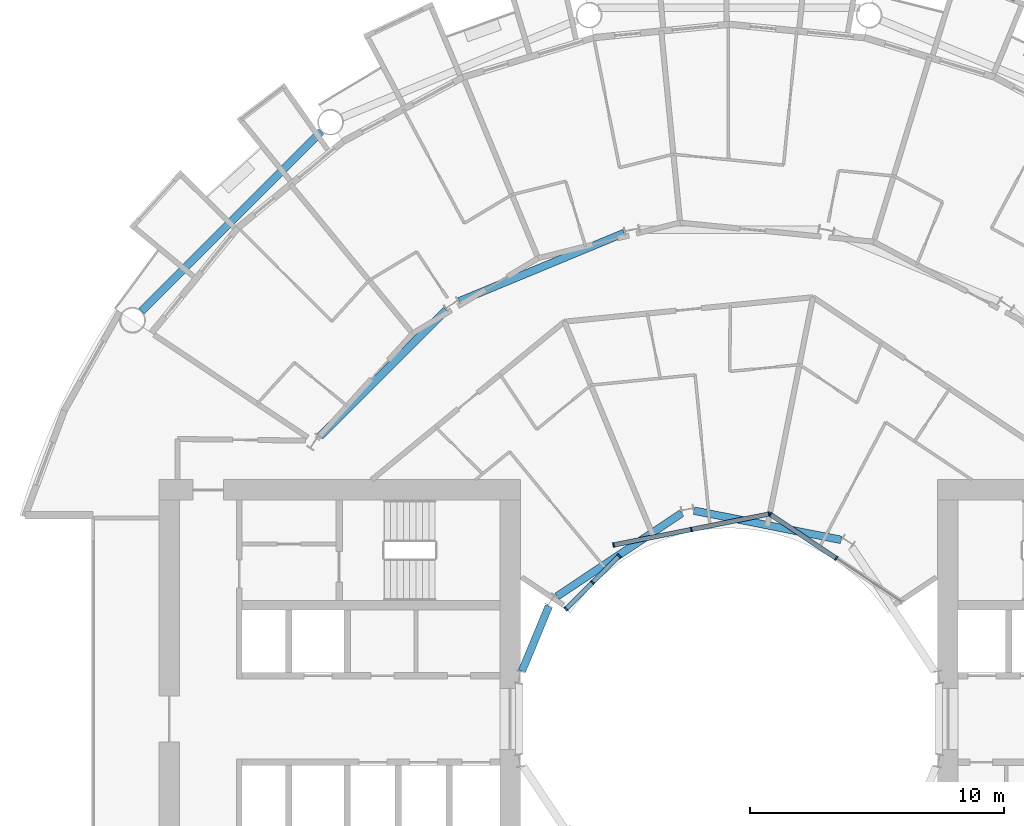
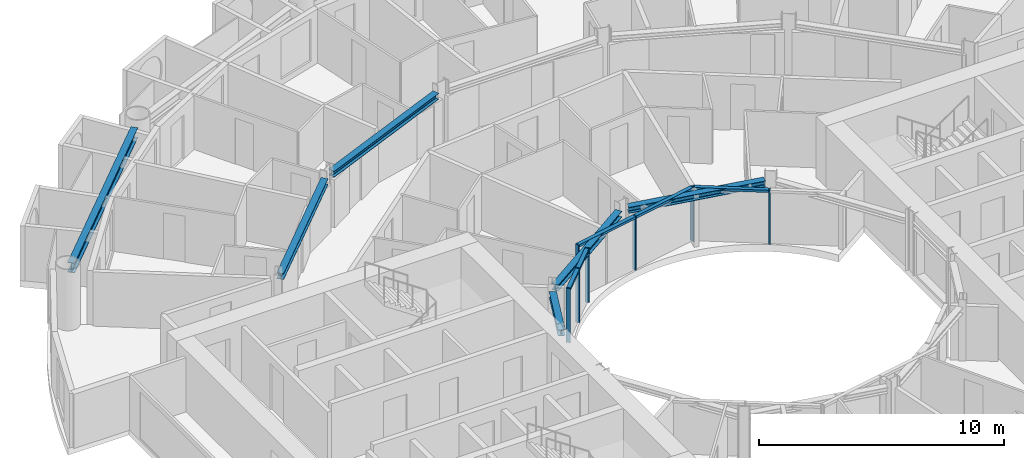
# One storey, part 7 of 26: 13 members, 6 beams, 3 elements without a shape of their own.
"""IFC4 building model written with IfcOpenShell, lengths in metres."""

from ifc_helpers import new_model, si_unit, direction, frame, origin, origin_2d, place, context, subcontext, project, spatial, rectangle, i_section, extrude, material, layer, layer_set, material_profile, profile_set, type_object, element, aggregate, save


model = new_model("IFC4")

# Units and contexts
model_context = context("Model", 3, precision=1e-05, world=origin(), true_north=direction((0.0, 1.0)))
body_context = subcontext(model_context, "Body", "Model", "MODEL_VIEW")
ifc_project = project(units=[si_unit("LENGTHUNIT", "METRE"), si_unit("AREAUNIT", "SQUARE_METRE"), si_unit("VOLUMEUNIT", "CUBIC_METRE"), si_unit("PLANEANGLEUNIT", "RADIAN"), si_unit("MASSUNIT", "GRAM", prefix="KILO")], contexts=[model_context])

# Site, building, storey
site_placement = place(None, origin())
site = spatial("IfcSite", under=ifc_project, at=site_placement, CompositionType="ELEMENT")
building_placement = place(site_placement, origin())
building = spatial("IfcBuilding", under=site, at=building_placement, Name="Maasbend Ring Residences", CompositionType="ELEMENT")
storey_placement = place(building_placement, frame((0.0, 0.0, 25.85009765625)))
storey = spatial("IfcBuildingStorey", under=building, at=storey_placement, Name="L06", CompositionType="ELEMENT", Elevation=25.85009765625)

# Curtain wall, members
ifc_material_1 = material(Name="Aluminium and clear glass", Category="aluminium")
ifc_layer = layer(ifc_material_1, 0.179931640625)
ifc_layer_set = layer_set([ifc_layer], Name="CW-W")
curtain_wall_type = type_object("IfcCurtainWallType", Name="CW-W", PredefinedType="NOTDEFINED", material=ifc_layer_set)
curtain_wall_1_placement = place(storey_placement, origin())
curtain_wall_1 = element("IfcCurtainWall", 1, at=curtain_wall_1_placement, inside=storey, type_object=curtain_wall_type, Name="Well curtain wall N1", PredefinedType="NOTDEFINED")
ifc_material_2 = material(Name="Aluminium 6063-T6", Category="aluminium")
ifc_material_profile_1 = material_profile(ifc_material_2, rectangle(XDim=0.179931640625, YDim=0.06005859375, at=origin_2d()), Name="AL 180x60")
ifc_profile_set_1 = profile_set([ifc_material_profile_1], Name="Aluminium 6063-T6")
member_type_1 = type_object("IfcMemberType", Name="CWM-W", PredefinedType="MULLION", material=ifc_profile_set_1)
member_1_placement = place(storey_placement, frame((4.216796875, 6.310791015625, 0.0), z_axis=(0.0, 0.0, 1.0), x_axis=(-0.55557023302, -0.831469612303, 0.0)))
member_1 = element("IfcMember", 2, at=member_1_placement, type_object=member_type_1, Name="Mullion well face", PredefinedType="MULLION", context=body_context, shape_type="SweptSolid", body=[
    extrude(rectangle(XDim=0.179931640625, YDim=0.06005859375, at=origin_2d()), origin(), (0.0, 0.0, 1.0), 2.699951171875),
])
member_2_placement = place(storey_placement, frame((1.627685546875, 8.040771484375, 0.0), z_axis=(0.0, 0.0, 1.0), x_axis=(-0.55557023302, -0.831469612303, 0.0)))
member_2 = element("IfcMember", 3, at=member_2_placement, type_object=member_type_1, Name="Mullion well face", PredefinedType="MULLION", context=body_context, shape_type="SweptSolid", body=[
    extrude(rectangle(XDim=0.179931640625, YDim=0.06005859375, at=origin_2d()), origin(), (0.0, 0.0, 1.0), 2.699951171875),
])

curtain_wall_2_placement = place(storey_placement, origin())
curtain_wall_2 = element("IfcCurtainWall", 4, at=curtain_wall_2_placement, inside=storey, type_object=curtain_wall_type, Name="Well curtain wall N2", PredefinedType="NOTDEFINED")
member_3_placement = place(storey_placement, frame((1.5732421875, 8.0517578125, 0.0), z_axis=(0.0, 0.0, 1.0), x_axis=(0.195090322016, -0.980785280403, 0.0)))
member_3 = element("IfcMember", 5, at=member_3_placement, type_object=member_type_1, Name="Mullion well face", PredefinedType="MULLION", context=body_context, shape_type="SweptSolid", body=[
    extrude(rectangle(XDim=0.179931640625, YDim=0.06005859375, at=origin_2d()), origin(), (0.0, 0.0, 1.0), 2.699951171875),
])
member_4_placement = place(storey_placement, frame((-1.480712890625, 7.444091796875, 0.0), z_axis=(0.0, 0.0, 1.0), x_axis=(0.195090322016, -0.980785280403, 0.0)))
member_4 = element("IfcMember", 6, at=member_4_placement, type_object=member_type_1, Name="Mullion well face", PredefinedType="MULLION", context=body_context, shape_type="SweptSolid", body=[
    extrude(rectangle(XDim=0.179931640625, YDim=0.06005859375, at=origin_2d()), origin(), (0.0, 0.0, 1.0), 2.699951171875),
])
member_5_placement = place(storey_placement, frame((-4.53466796875, 6.836669921875, 0.0), z_axis=(0.0, 0.0, 1.0), x_axis=(0.195090322016, -0.980785280403, 0.0)))
member_5 = element("IfcMember", 7, at=member_5_placement, type_object=member_type_1, Name="Mullion well face", PredefinedType="MULLION", context=body_context, shape_type="SweptSolid", body=[
    extrude(rectangle(XDim=0.179931640625, YDim=0.06005859375, at=origin_2d()), origin(), (0.0, 0.0, 1.0), 2.699951171875),
])

curtain_wall_3_placement = place(storey_placement, origin())
curtain_wall_3 = element("IfcCurtainWall", 8, at=curtain_wall_3_placement, inside=storey, type_object=curtain_wall_type, Name="Well curtain wall N3", PredefinedType="NOTDEFINED")
member_6_placement = place(storey_placement, frame((-4.320556640625, 6.413330078125, 0.0), z_axis=(0.0, 0.0, 1.0), x_axis=(0.707106781187, -0.707106781187, 0.0)))
member_6 = element("IfcMember", 9, at=member_6_placement, type_object=member_type_1, Name="Mullion well face", PredefinedType="MULLION", context=body_context, shape_type="SweptSolid", body=[
    extrude(rectangle(XDim=0.179931640625, YDim=0.06005859375, at=origin_2d()), origin(), (0.0, 0.0, 1.0), 2.699951171875),
])
member_7_placement = place(storey_placement, frame((-5.366943359375, 5.366943359375, 0.0), z_axis=(0.0, 0.0, 1.0), x_axis=(0.707106781187, -0.707106781187, 0.0)))
member_7 = element("IfcMember", 10, at=member_7_placement, type_object=member_type_1, Name="Mullion well face", PredefinedType="MULLION", context=body_context, shape_type="SweptSolid", body=[
    extrude(rectangle(XDim=0.179931640625, YDim=0.06005859375, at=origin_2d()), origin(), (0.0, 0.0, 1.0), 2.699951171875),
])
member_8_placement = place(storey_placement, frame((-6.413330078125, 4.320556640625, 0.0), z_axis=(0.0, 0.0, 1.0), x_axis=(0.707106781187, -0.707106781187, 0.0)))
member_8 = element("IfcMember", 11, at=member_8_placement, type_object=member_type_1, Name="Mullion well face", PredefinedType="MULLION", context=body_context, shape_type="SweptSolid", body=[
    extrude(rectangle(XDim=0.179931640625, YDim=0.06005859375, at=origin_2d()), origin(), (0.0, 0.0, 1.0), 2.699951171875),
])

# Member
ifc_material_3 = material(Name="Aluminium 6063-T6", Category="aluminium")
ifc_material_profile_2 = material_profile(ifc_material_3, rectangle(XDim=0.179931640625, YDim=0.1201171875, at=origin_2d()), Name="AL 180x120")
ifc_profile_set_2 = profile_set([ifc_material_profile_2], Name="Aluminium 6063-T6")
member_type_2 = type_object("IfcMemberType", Name="CWT-W", PredefinedType="USERDEFINED", material=ifc_profile_set_2)
member_9_placement = place(storey_placement, frame((4.19189453125, 6.32763671875, 2.639892578125), z_axis=(-0.831496422459, 0.555530106689, 0.0), x_axis=(-0.555530106689, -0.831496422459, 0.0)))
member_9 = element("IfcMember", 12, at=member_9_placement, type_object=member_type_2, Name="Transom well face", ObjectType="TRANSOM", PredefinedType="USERDEFINED", context=body_context, shape_type="SweptSolid", body=[
    extrude(rectangle(XDim=0.179931640625, YDim=0.1201171875, at=origin_2d()), origin(), (0.0, 0.0, 1.0), 3.053955078125),
])

aggregate(curtain_wall_1, [member_1, member_2, member_9])

member_10_placement = place(storey_placement, frame((1.5439453125, 8.0458984375, 2.639892578125), z_axis=(-0.980776956105, -0.195132166424, 0.0), x_axis=(0.195132166424, -0.980776956105, 0.0)))
member_10 = element("IfcMember", 13, at=member_10_placement, type_object=member_type_2, Name="Transom well face", ObjectType="TRANSOM", PredefinedType="USERDEFINED", context=body_context, shape_type="SweptSolid", body=[
    extrude(rectangle(XDim=0.179931640625, YDim=0.1201171875, at=origin_2d()), origin(), (0.0, 0.0, 1.0), 3.053955078125),
])

member_11_placement = place(storey_placement, frame((-1.51025390625, 7.438232421875, 2.639892578125), z_axis=(-0.980789210404, -0.19507056353, 0.0), x_axis=(0.19507056353, -0.980789210404, 0.0)))
member_11 = element("IfcMember", 14, at=member_11_placement, type_object=member_type_2, Name="Transom well face", ObjectType="TRANSOM", PredefinedType="USERDEFINED", context=body_context, shape_type="SweptSolid", body=[
    extrude(rectangle(XDim=0.179931640625, YDim=0.1201171875, at=origin_2d()), origin(), (0.0, 0.0, 1.0), 3.0537109375),
])

aggregate(curtain_wall_2, [member_3, member_4, member_5, member_10, member_11])

member_12_placement = place(storey_placement, frame((-4.341796875, 6.39208984375, 2.639892578125), z_axis=(-0.707106781187, -0.707106781187, 0.0), x_axis=(0.707106781187, -0.707106781187, 0.0)))
member_12 = element("IfcMember", 15, at=member_12_placement, type_object=member_type_2, Name="Transom well face", ObjectType="TRANSOM", PredefinedType="USERDEFINED", context=body_context, shape_type="SweptSolid", body=[
    extrude(rectangle(XDim=0.179931640625, YDim=0.1201171875, at=origin_2d()), origin(), (0.0, 0.0, 1.0), 1.419677734375),
])

member_13_placement = place(storey_placement, frame((-5.38818359375, 5.345703125, 2.639892578125), z_axis=(-0.707106781187, -0.707106781187, 0.0), x_axis=(0.707106781187, -0.707106781187, 0.0)))
member_13 = element("IfcMember", 16, at=member_13_placement, type_object=member_type_2, Name="Transom well face", ObjectType="TRANSOM", PredefinedType="USERDEFINED", context=body_context, shape_type="SweptSolid", body=[
    extrude(rectangle(XDim=0.179931640625, YDim=0.1201171875, at=origin_2d()), origin(), (0.0, 0.0, 1.0), 1.419677734375),
])

aggregate(curtain_wall_3, [member_6, member_7, member_8, member_12, member_13])

# Beams
ifc_material_4 = material(Name="Steel S355J2", Category="steel")
ifc_material_profile_3 = material_profile(ifc_material_4, i_section(OverallWidth=0.300048828125, OverallDepth=0.300048828125, WebThickness=0.010986328125, FlangeThickness=0.01904296875, FilletRadius=0.027099609375, at=origin_2d()), Name="HEB 300")
ifc_profile_set_3 = profile_set([ifc_material_profile_3], Name="Steel S355J2")
beam_type_1 = type_object("IfcBeamType", Name="Corridor ring beam HEB 300", PredefinedType="BEAM", material=ifc_profile_set_3)
beam_1_placement = place(storey_placement, frame((-4.11572265625, 19.102294921875, 2.5498046875), z_axis=(-0.923886196809, -0.38266734293, 0.0), x_axis=(0.38266734293, -0.923886196809, 0.0)))
element("IfcBeam", 17, at=beam_1_placement, inside=storey, type_object=beam_type_1, Name="Corridor ring beam", PredefinedType="BEAM", context=body_context, shape_type="SweptSolid", body=[
    extrude(i_section(OverallWidth=0.300048828125, OverallDepth=0.300048828125, WebThickness=0.010986328125, FlangeThickness=0.01904296875, FilletRadius=0.027099609375, at=origin_2d()), origin(), (0.0, 0.0, 1.0), 7.015380859375),
])
beam_2_placement = place(storey_placement, frame((-11.11279296875, 16.0732421875, 2.5498046875), z_axis=(-0.707106781187, -0.707106781187, 0.0), x_axis=(0.707106781187, -0.707106781187, 0.0)))
element("IfcBeam", 18, at=beam_2_placement, inside=storey, type_object=beam_type_1, Name="Corridor ring beam", PredefinedType="BEAM", context=body_context, shape_type="SweptSolid", body=[
    extrude(i_section(OverallWidth=0.300048828125, OverallDepth=0.300048828125, WebThickness=0.010986328125, FlangeThickness=0.01904296875, FilletRadius=0.027099609375, at=origin_2d()), origin(), (0.0, 0.0, 1.0), 7.01513671875),
])
ifc_material_5 = material(Name="Steel S355J2", Category="steel")
ifc_material_profile_4 = material_profile(ifc_material_5, i_section(OverallWidth=0.300048828125, OverallDepth=0.5, WebThickness=0.014404296875, FlangeThickness=0.028076171875, FilletRadius=0.027099609375, at=origin_2d()), Name="HEB 500")
ifc_profile_set_4 = profile_set([ifc_material_profile_4], Name="Steel S355J2")
beam_type_2 = type_object("IfcBeamType", Name="Spandrel ring beam HEB 500", PredefinedType="SPANDREL", material=ifc_profile_set_4)
beam_3_placement = place(storey_placement, frame((-16.0263671875, 23.088134765625, 2.449951171875), z_axis=(-0.707106781187, -0.707106781187, 0.0), x_axis=(0.707106781187, -0.707106781187, 0.0)))
element("IfcBeam", 19, at=beam_3_placement, inside=storey, type_object=beam_type_2, Name="Spandrel ring beam", PredefinedType="SPANDREL", context=body_context, shape_type="SweptSolid", body=[
    extrude(i_section(OverallWidth=0.300048828125, OverallDepth=0.5, WebThickness=0.014404296875, FlangeThickness=0.028076171875, FilletRadius=0.027099609375, at=origin_2d()), origin(), (0.0, 0.0, 1.0), 9.98681640625),
])
ifc_material_6 = material(Name="Steel S355J2", Category="steel")
ifc_material_profile_5 = material_profile(ifc_material_6, i_section(OverallWidth=0.300048828125, OverallDepth=0.300048828125, WebThickness=0.010986328125, FlangeThickness=0.01904296875, FilletRadius=0.027099609375, at=origin_2d()), Name="HEB 300")
ifc_profile_set_5 = profile_set([ifc_material_profile_5], Name="Steel S355J2")
beam_type_3 = type_object("IfcBeamType", Name="Well edge beam HEB 300", PredefinedType="BEAM", material=ifc_profile_set_5)
beam_4_placement = place(storey_placement, frame((4.4013671875, 7.037109375, 2.5498046875), z_axis=(-0.980784282486, 0.195095338819, 0.0), x_axis=(-0.195095338819, -0.980784282486, 0.0)))
element("IfcBeam", 20, at=beam_4_placement, inside=storey, type_object=beam_type_3, Name="Well edge beam", PredefinedType="BEAM", context=body_context, shape_type="SweptSolid", body=[
    extrude(i_section(OverallWidth=0.300048828125, OverallDepth=0.300048828125, WebThickness=0.010986328125, FlangeThickness=0.01904296875, FilletRadius=0.027099609375, at=origin_2d()), origin(), (0.0, 0.0, 1.0), 5.8876953125),
])
beam_5_placement = place(storey_placement, frame((-1.86376953125, 8.08837890625, 2.5498046875), z_axis=(-0.831456549723, -0.555589782054, 0.0), x_axis=(0.555589782054, -0.831456549723, 0.0)))
element("IfcBeam", 21, at=beam_5_placement, inside=storey, type_object=beam_type_3, Name="Well edge beam", PredefinedType="BEAM", context=body_context, shape_type="SweptSolid", body=[
    extrude(i_section(OverallWidth=0.300048828125, OverallDepth=0.300048828125, WebThickness=0.010986328125, FlangeThickness=0.01904296875, FilletRadius=0.027099609375, at=origin_2d()), origin(), (0.0, 0.0, 1.0), 5.887939453125),
])
beam_6_placement = place(storey_placement, frame((-7.081787109375, 4.431396484375, 2.5498046875), z_axis=(-0.382723119906, -0.923863092395, 0.0), x_axis=(0.923863092395, -0.382723119906, 0.0)))
element("IfcBeam", 22, at=beam_6_placement, inside=storey, type_object=beam_type_3, Name="Well edge beam", PredefinedType="BEAM", context=body_context, shape_type="SweptSolid", body=[
    extrude(i_section(OverallWidth=0.300048828125, OverallDepth=0.300048828125, WebThickness=0.010986328125, FlangeThickness=0.01904296875, FilletRadius=0.027099609375, at=origin_2d()), origin(), (0.0, 0.0, 1.0), 2.767822265625),
])

save(model, "model.ifc")
